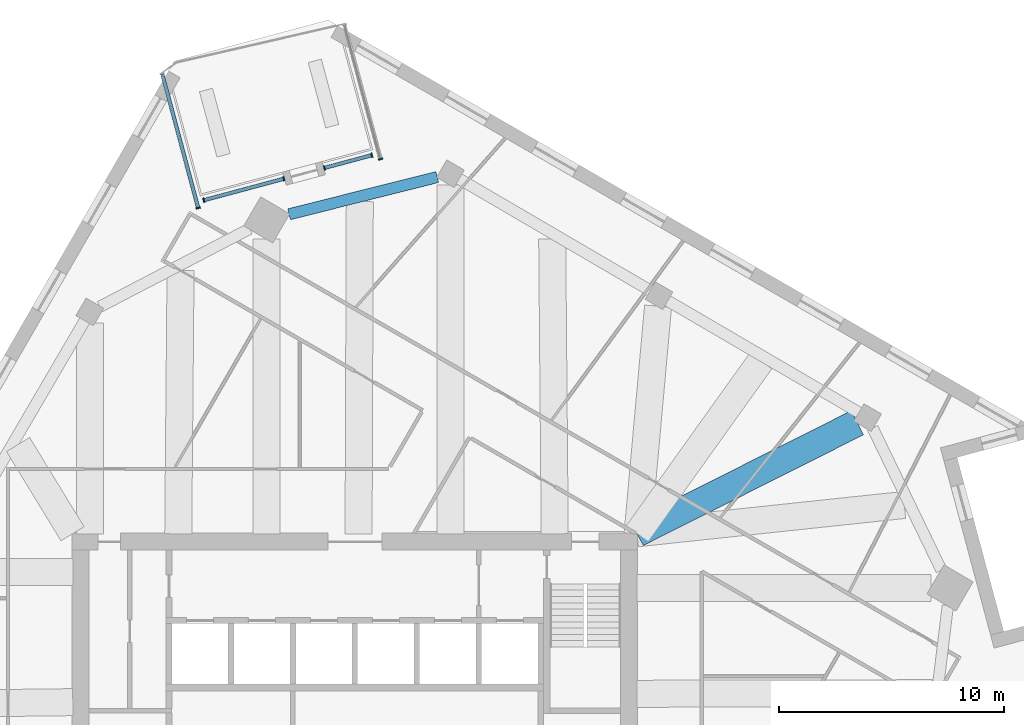
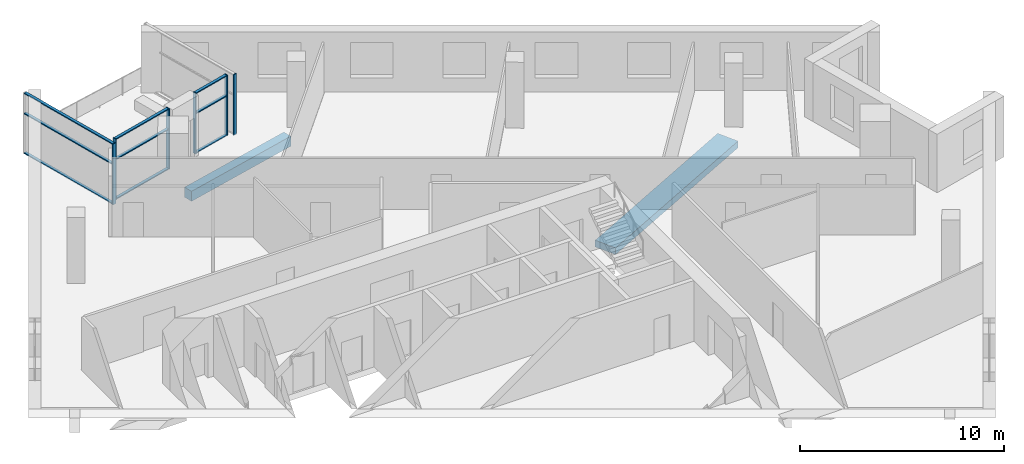
# One storey, part 2 of 13: 15 members, 2 beams, 4 elements without a shape of their own.
"""IFC4 building model written with IfcOpenShell, lengths in metres."""

from ifc_helpers import new_model, si_unit, direction, frame, origin, origin_2d, place, context, subcontext, project, spatial, rectangle, extrude, material, material_profile, profile_set, type_object, element, aggregate, save


model = new_model("IFC4")

# Units and contexts
model_context = context("Model", 3, precision=1e-05, world=origin(), true_north=direction((0.0, 1.0)))
body_context = subcontext(model_context, "Body", "Model", "MODEL_VIEW")
ifc_project = project(units=[si_unit("LENGTHUNIT", "METRE"), si_unit("AREAUNIT", "SQUARE_METRE"), si_unit("VOLUMEUNIT", "CUBIC_METRE"), si_unit("PLANEANGLEUNIT", "RADIAN"), si_unit("MASSUNIT", "GRAM", prefix="KILO")], contexts=[model_context])

# Site, building, storey
site_placement = place(None, origin())
site = spatial("IfcSite", under=ifc_project, at=site_placement, CompositionType="ELEMENT")
building_placement = place(site_placement, origin())
building = spatial("IfcBuilding", under=site, at=building_placement, Name="Dilmun Exchange Tower", CompositionType="ELEMENT")
storey_placement = place(building_placement, frame((0.0, 0.0, 266.89990234375)))
storey = spatial("IfcBuildingStorey", under=building, at=storey_placement, Name="L63", CompositionType="ELEMENT", Elevation=266.89990234375)

# Curtain wall, member
ifc_material_1 = material(Name="Anodised aluminium and clear glass", Category="aluminium")
curtain_wall_type = type_object("IfcCurtainWallType", Name="Garden corner glazing", PredefinedType="NOTDEFINED", material=ifc_material_1)
curtain_wall_1_placement = place(storey_placement, origin())
curtain_wall_1 = element("IfcCurtainWall", 1, at=curtain_wall_1_placement, inside=storey, type_object=curtain_wall_type, Name="Garden corner glazing run GC1.1", PredefinedType="NOTDEFINED")
ifc_material_2 = material(Name="Anodised aluminium", Category="aluminium")
ifc_material_profile_1 = material_profile(ifc_material_2, rectangle(XDim=0.199951171875, YDim=0.06005859375, at=origin_2d()), Name="AL 60x200")
ifc_profile_set_1 = profile_set([ifc_material_profile_1], Name="Anodised aluminium")
member_type_1 = type_object("IfcMemberType", Name="Garden corner glazing mullion 60 x 200", PredefinedType="MULLION", material=ifc_profile_set_1)
member_1_placement = place(storey_placement, frame((1.136962890625, 29.15380859375, 0.0), z_axis=(0.0, 0.0, 1.0), x_axis=(0.965925756145, 0.258819306883, 0.0)))
member_1 = element("IfcMember", 2, at=member_1_placement, type_object=member_type_1, Name="GC1.1 mullion 2", PredefinedType="MULLION", context=body_context, shape_type="SweptSolid", body=[
    extrude(rectangle(XDim=0.199951171875, YDim=0.06005859375, at=origin_2d()), origin(), (0.0, 0.0, 1.0), 3.64013671875),
])
aggregate(curtain_wall_1, [member_1])

# Curtain wall, members
curtain_wall_2_placement = place(storey_placement, origin())
curtain_wall_2 = element("IfcCurtainWall", 3, at=curtain_wall_2_placement, inside=storey, type_object=curtain_wall_type, Name="Garden corner glazing run GC2.1", PredefinedType="NOTDEFINED")
member_2_placement = place(storey_placement, frame((0.74853515625, 29.3291015625, 0.0), z_axis=(0.0, 0.0, 1.0), x_axis=(0.258810497317, -0.965928116621, 0.0)))
member_2 = element("IfcMember", 4, at=member_2_placement, type_object=member_type_1, Name="GC2.1 mullion 1", PredefinedType="MULLION", context=body_context, shape_type="SweptSolid", body=[
    extrude(rectangle(XDim=0.199951171875, YDim=0.06005859375, at=origin_2d()), origin(), (0.0, 0.0, 1.0), 3.64013671875),
])
member_3_placement = place(storey_placement, frame((-1.3564453125, 28.76513671875, 0.0), z_axis=(0.0, 0.0, 1.0), x_axis=(0.258810497317, -0.965928116621, 0.0)))
member_3 = element("IfcMember", 5, at=member_3_placement, type_object=member_type_1, Name="GC2.1 mullion 2", PredefinedType="MULLION", context=body_context, shape_type="SweptSolid", body=[
    extrude(rectangle(XDim=0.199951171875, YDim=0.06005859375, at=origin_2d()), origin(), (0.0, 0.0, 1.0), 3.64013671875),
])

curtain_wall_3_placement = place(storey_placement, origin())
curtain_wall_3 = element("IfcCurtainWall", 6, at=curtain_wall_3_placement, inside=storey, type_object=curtain_wall_type, Name="Garden corner glazing run GC2.3", PredefinedType="NOTDEFINED")
member_4_placement = place(storey_placement, frame((-3.153076171875, 28.28369140625, 0.0), z_axis=(0.0, 0.0, 1.0), x_axis=(0.258812731, -0.965927518126, 0.0)))
member_4 = element("IfcMember", 7, at=member_4_placement, type_object=member_type_1, Name="GC2.3 mullion 1", PredefinedType="MULLION", context=body_context, shape_type="SweptSolid", body=[
    extrude(rectangle(XDim=0.199951171875, YDim=0.06005859375, at=origin_2d()), origin(), (0.0, 0.0, 1.0), 3.64013671875),
])
member_5_placement = place(storey_placement, frame((-6.706787109375, 27.33154296875, 0.0), z_axis=(0.0, 0.0, 1.0), x_axis=(0.258812731, -0.965927518126, 0.0)))
member_5 = element("IfcMember", 8, at=member_5_placement, type_object=member_type_1, Name="GC2.3 mullion 2", PredefinedType="MULLION", context=body_context, shape_type="SweptSolid", body=[
    extrude(rectangle(XDim=0.199951171875, YDim=0.06005859375, at=origin_2d()), origin(), (0.0, 0.0, 1.0), 3.64013671875),
])

# Curtain wall, member
curtain_wall_4_placement = place(storey_placement, origin())
curtain_wall_4 = element("IfcCurtainWall", 9, at=curtain_wall_4_placement, inside=storey, type_object=curtain_wall_type, Name="Garden corner glazing run GC3.1", PredefinedType="NOTDEFINED")
member_6_placement = place(storey_placement, frame((-6.95556640625, 26.9853515625, 0.0), z_axis=(0.0, 0.0, 1.0), x_axis=(-0.965925756145, -0.258819306883, 0.0)))
member_6 = element("IfcMember", 10, at=member_6_placement, type_object=member_type_1, Name="GC3.1 mullion 1", PredefinedType="MULLION", context=body_context, shape_type="SweptSolid", body=[
    extrude(rectangle(XDim=0.199951171875, YDim=0.06005859375, at=origin_2d()), origin(), (0.0, 0.0, 1.0), 3.64013671875),
])

# Member
ifc_material_profile_2 = material_profile(ifc_material_2, rectangle(XDim=0.159912109375, YDim=0.06005859375, at=origin_2d()), Name="AL 60x160")
ifc_profile_set_2 = profile_set([ifc_material_profile_2], Name="Anodised aluminium")
member_type_2 = type_object("IfcMemberType", Name="Garden corner glazing transom 60 x 160", PredefinedType="USERDEFINED", material=ifc_profile_set_2)
member_7_placement = place(storey_placement, frame((0.719482421875, 29.3212890625, 0.030029296875), z_axis=(-0.965939824014, -0.258766799229, 0.0), x_axis=(0.258766799229, -0.965939824014, 0.0)))
member_7 = element("IfcMember", 11, at=member_7_placement, type_object=member_type_2, Name="GC2.1 transom 1.1", ObjectType="TRANSOM", PredefinedType="USERDEFINED", context=body_context, shape_type="SweptSolid", body=[
    extrude(rectangle(XDim=0.159912109375, YDim=0.06005859375, at=origin_2d()), origin(), (0.0, 0.0, 1.0), 2.119140625),
])

member_8_placement = place(storey_placement, frame((0.719482421875, 29.3212890625, 2.400146484375), z_axis=(-0.965939824014, -0.258766799229, 0.0), x_axis=(0.258766799229, -0.965939824014, 0.0)))
member_8 = element("IfcMember", 12, at=member_8_placement, type_object=member_type_2, Name="GC2.1 transom 1.2", ObjectType="TRANSOM", PredefinedType="USERDEFINED", context=body_context, shape_type="SweptSolid", body=[
    extrude(rectangle(XDim=0.159912109375, YDim=0.06005859375, at=origin_2d()), origin(), (0.0, 0.0, 1.0), 2.119140625),
])

member_9_placement = place(storey_placement, frame((0.719482421875, 29.3212890625, 3.610107421875), z_axis=(-0.965939824014, -0.258766799229, 0.0), x_axis=(0.258766799229, -0.965939824014, 0.0)))
member_9 = element("IfcMember", 13, at=member_9_placement, type_object=member_type_2, Name="GC2.1 transom 1.3", ObjectType="TRANSOM", PredefinedType="USERDEFINED", context=body_context, shape_type="SweptSolid", body=[
    extrude(rectangle(XDim=0.159912109375, YDim=0.06005859375, at=origin_2d()), origin(), (0.0, 0.0, 1.0), 2.119140625),
])

aggregate(curtain_wall_2, [member_2, member_3, member_7, member_8, member_9])

member_10_placement = place(storey_placement, frame((-3.18212890625, 28.27587890625, 0.030029296875), z_axis=(-0.965934200247, -0.258787791043, 0.0), x_axis=(0.258787791043, -0.965934200247, 0.0)))
member_10 = element("IfcMember", 14, at=member_10_placement, type_object=member_type_2, Name="GC2.3 transom 1.1", ObjectType="TRANSOM", PredefinedType="USERDEFINED", context=body_context, shape_type="SweptSolid", body=[
    extrude(rectangle(XDim=0.159912109375, YDim=0.06005859375, at=origin_2d()), origin(), (0.0, 0.0, 1.0), 3.618896484375),
])

member_11_placement = place(storey_placement, frame((-3.18212890625, 28.27587890625, 2.400146484375), z_axis=(-0.965934200247, -0.258787791043, 0.0), x_axis=(0.258787791043, -0.965934200247, 0.0)))
member_11 = element("IfcMember", 15, at=member_11_placement, type_object=member_type_2, Name="GC2.3 transom 1.2", ObjectType="TRANSOM", PredefinedType="USERDEFINED", context=body_context, shape_type="SweptSolid", body=[
    extrude(rectangle(XDim=0.159912109375, YDim=0.06005859375, at=origin_2d()), origin(), (0.0, 0.0, 1.0), 3.618896484375),
])

member_12_placement = place(storey_placement, frame((-3.18212890625, 28.27587890625, 3.610107421875), z_axis=(-0.965934200247, -0.258787791043, 0.0), x_axis=(0.258787791043, -0.965934200247, 0.0)))
member_12 = element("IfcMember", 16, at=member_12_placement, type_object=member_type_2, Name="GC2.3 transom 1.3", ObjectType="TRANSOM", PredefinedType="USERDEFINED", context=body_context, shape_type="SweptSolid", body=[
    extrude(rectangle(XDim=0.159912109375, YDim=0.06005859375, at=origin_2d()), origin(), (0.0, 0.0, 1.0), 3.618896484375),
])

aggregate(curtain_wall_3, [member_4, member_5, member_10, member_11, member_12])

member_13_placement = place(storey_placement, frame((-6.96337890625, 27.014404296875, 0.030029296875), z_axis=(-0.258825719922, 0.965924037752, 0.0), x_axis=(-0.965924037752, -0.258825719922, 0.0)))
member_13 = element("IfcMember", 17, at=member_13_placement, type_object=member_type_2, Name="GC3.1 transom 1.1", ObjectType="TRANSOM", PredefinedType="USERDEFINED", context=body_context, shape_type="SweptSolid", body=[
    extrude(rectangle(XDim=0.159912109375, YDim=0.06005859375, at=origin_2d()), origin(), (0.0, 0.0, 1.0), 6.12646484375),
])

member_14_placement = place(storey_placement, frame((-6.96337890625, 27.014404296875, 2.400146484375), z_axis=(-0.258825719922, 0.965924037752, 0.0), x_axis=(-0.965924037752, -0.258825719922, 0.0)))
member_14 = element("IfcMember", 18, at=member_14_placement, type_object=member_type_2, Name="GC3.1 transom 1.2", ObjectType="TRANSOM", PredefinedType="USERDEFINED", context=body_context, shape_type="SweptSolid", body=[
    extrude(rectangle(XDim=0.159912109375, YDim=0.06005859375, at=origin_2d()), origin(), (0.0, 0.0, 1.0), 6.12646484375),
])

member_15_placement = place(storey_placement, frame((-6.96337890625, 27.014404296875, 3.610107421875), z_axis=(-0.258825719922, 0.965924037752, 0.0), x_axis=(-0.965924037752, -0.258825719922, 0.0)))
member_15 = element("IfcMember", 19, at=member_15_placement, type_object=member_type_2, Name="GC3.1 transom 1.3", ObjectType="TRANSOM", PredefinedType="USERDEFINED", context=body_context, shape_type="SweptSolid", body=[
    extrude(rectangle(XDim=0.159912109375, YDim=0.06005859375, at=origin_2d()), origin(), (0.0, 0.0, 1.0), 6.12646484375),
])

aggregate(curtain_wall_4, [member_6, member_13, member_14, member_15])

# Beams
ifc_material_3 = material(Name="Concrete C40/50", Category="concrete")
ifc_material_profile_3 = material_profile(ifc_material_3, rectangle(XDim=1.199951171875, YDim=0.39990234375, at=origin_2d()), Name="1200 x 400")
ifc_profile_set_3 = profile_set([ifc_material_profile_3], Name="Concrete C40/50")
beam_type_1 = type_object("IfcBeamType", Name="RC band beam 1200 x 400 C40/50", PredefinedType="BEAM", material=ifc_profile_set_3)
beam_1_placement = place(storey_placement, frame((22.302734375, 17.453125, -0.659912109375), z_axis=(-0.893443377394, -0.449175835716, 0.0), x_axis=(0.449175835716, -0.893443377394, 0.0)))
element("IfcBeam", 20, at=beam_1_placement, inside=storey, type_object=beam_type_1, Name="Band beam 14", PredefinedType="BEAM", context=body_context, shape_type="SweptSolid", body=[
    extrude(rectangle(XDim=1.199951171875, YDim=0.39990234375, at=origin_2d()), origin(), (0.0, 0.0, 1.0), 10.94287109375),
])
ifc_material_profile_4 = material_profile(ifc_material_3, rectangle(XDim=0.5, YDim=0.60009765625, at=origin_2d()), Name="500 x 600")
ifc_profile_set_4 = profile_set([ifc_material_profile_4], Name="Concrete C40/50")
beam_type_2 = type_object("IfcBeamType", Name="RC ring beam 500 x 600 C40/50", PredefinedType="SPANDREL", material=ifc_profile_set_4)
beam_2_placement = place(storey_placement, frame((3.6552734375, 28.359130859375, -0.659912109375), z_axis=(-0.969853854997, -0.243687299522, 0.0), x_axis=(0.243687299522, -0.969853854997, 0.0)))
element("IfcBeam", 21, at=beam_2_placement, inside=storey, type_object=beam_type_2, Name="Ring beam 16", PredefinedType="SPANDREL", context=body_context, shape_type="SweptSolid", body=[
    extrude(rectangle(XDim=0.5, YDim=0.60009765625, at=origin_2d()), origin(), (0.0, 0.0, 1.0), 6.78271484375),
])

save(model, "model.ifc")
